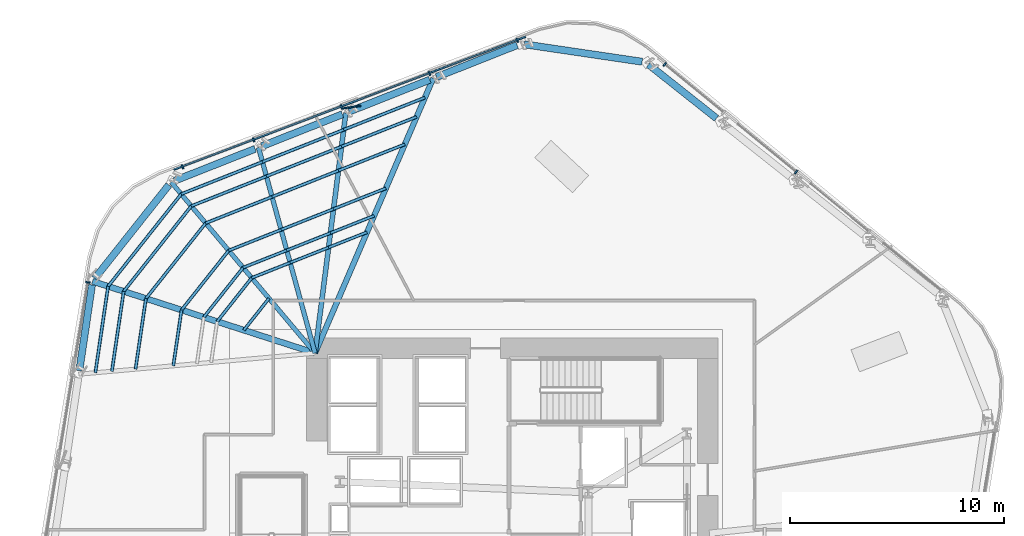
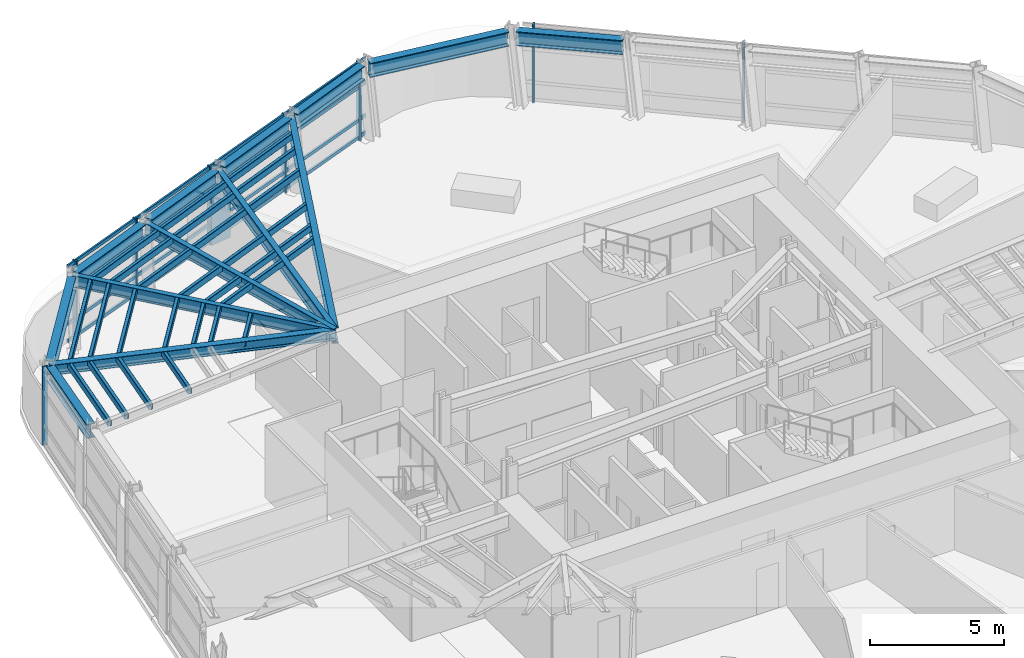
# One storey, part 6 of 18: 42 members, 13 beams, 3 elements without a shape of their own.
"""IFC4 building model written with IfcOpenShell, lengths in metres."""

from ifc_helpers import new_model, si_unit, direction, frame, origin, origin_2d, place, context, subcontext, project, spatial, rectangle, hollow_rectangle, i_section, extrude, material, layer, layer_set, material_profile, profile_set, type_object, element, aggregate, save


model = new_model("IFC4")

# Units and contexts
model_context = context("Model", 3, precision=1e-05, world=origin(), true_north=direction((0.0, 1.0)))
body_context = subcontext(model_context, "Body", "Model", "MODEL_VIEW")
ifc_project = project(units=[si_unit("LENGTHUNIT", "METRE"), si_unit("AREAUNIT", "SQUARE_METRE"), si_unit("VOLUMEUNIT", "CUBIC_METRE"), si_unit("PLANEANGLEUNIT", "RADIAN"), si_unit("MASSUNIT", "GRAM", prefix="KILO")], contexts=[model_context])

# Site, building, storey
site_placement = place(None, origin())
site = spatial("IfcSite", under=ifc_project, at=site_placement, CompositionType="ELEMENT")
building_placement = place(site_placement, origin())
building = spatial("IfcBuilding", under=site, at=building_placement, Name="Valkerne Bourse Tower", CompositionType="ELEMENT")
storey_placement = place(building_placement, frame((0.0, 0.0, 112.39990234375)))
storey = spatial("IfcBuildingStorey", under=building, at=storey_placement, Name="L28", CompositionType="ELEMENT", Elevation=112.39990234375)

# Beams
ifc_material_1 = material(Name="Steel ASTM A992", Category="steel")
ifc_material_profile_1 = material_profile(ifc_material_1, i_section(OverallWidth=0.279296875, OverallDepth=0.46240234375, WebThickness=0.0107421875, FlangeThickness=0.017333984375, FilletRadius=0.017822265625, at=origin_2d()), Name="W18X76")
ifc_profile_set_1 = profile_set([ifc_material_profile_1], Name="Steel ASTM A992")
beam_type_1 = type_object("IfcBeamType", Name="BM-W18X76", PredefinedType="BEAM", material=ifc_profile_set_1)
beam_1_placement = place(storey_placement, frame((27.218994140625, 38.75244140625, 3.348876953125), z_axis=(0.951606897226, -0.307317934966, 0.0), x_axis=(0.307317934966, 0.951606897226, 0.0)))
element("IfcBeam", 1, at=beam_1_placement, inside=storey, type_object=beam_type_1, Name="L28 Radial Composite Floor Beam 10", PredefinedType="BEAM", context=body_context, shape_type="SweptSolid", body=[
    extrude(i_section(OverallWidth=0.279296875, OverallDepth=0.46240234375, WebThickness=0.0107421875, FlangeThickness=0.017333984375, FilletRadius=0.017822265625, at=origin_2d()), origin(), (0.0, 0.0, 1.0), 10.908935546875),
])
ifc_material_profile_2 = material_profile(ifc_material_1, i_section(OverallWidth=0.209228515625, OverallDepth=0.533447265625, WebThickness=0.01025390625, FlangeThickness=0.015625, FilletRadius=0.017822265625, at=origin_2d()), Name="W21X62")
ifc_profile_set_2 = profile_set([ifc_material_profile_2], Name="Steel ASTM A992")
beam_type_2 = type_object("IfcBeamType", Name="BM-W21X62", PredefinedType="JOIST", material=ifc_profile_set_2)
beam_2_placement = place(storey_placement, frame((30.88671875, 43.3798828125, 3.3134765625), z_axis=(0.643765110754, -0.765223158416, 0.0), x_axis=(0.765223158416, 0.643765110754, 0.0)))
element("IfcBeam", 2, at=beam_2_placement, inside=storey, type_object=beam_type_2, Name="L28 Radial Composite Floor Beam 09", PredefinedType="JOIST", context=body_context, shape_type="SweptSolid", body=[
    extrude(i_section(OverallWidth=0.209228515625, OverallDepth=0.533447265625, WebThickness=0.01025390625, FlangeThickness=0.015625, FilletRadius=0.017822265625, at=origin_2d()), origin(), (0.0, 0.0, 1.0), 10.42822265625),
])
ifc_material_profile_3 = material_profile(ifc_material_1, i_section(OverallWidth=0.2138671875, OverallDepth=0.548583984375, WebThickness=0.0146484375, FlangeThickness=0.023681640625, FilletRadius=0.017822265625, at=origin_2d()), Name="W21X93")
ifc_profile_set_3 = profile_set([ifc_material_profile_3], Name="Steel ASTM A992")
beam_type_3 = type_object("IfcBeamType", Name="BM-W21X93", PredefinedType="BEAM", material=ifc_profile_set_3)
beam_3_placement = place(storey_placement, frame((34.9619140625, 44.993408203125, 3.305908203125), z_axis=(0.265153631465, -0.964206176977, 0.0), x_axis=(0.964206176977, 0.265153631465, 0.0)))
element("IfcBeam", 3, at=beam_3_placement, inside=storey, type_object=beam_type_3, Name="L28 Radial Composite Floor Beam 08", PredefinedType="BEAM", context=body_context, shape_type="SweptSolid", body=[
    extrude(i_section(OverallWidth=0.2138671875, OverallDepth=0.548583984375, WebThickness=0.0146484375, FlangeThickness=0.023681640625, FilletRadius=0.017822265625, at=origin_2d()), origin(), (0.0, 0.0, 1.0), 9.94970703125),
])
ifc_material_profile_4 = material_profile(ifc_material_1, i_section(OverallWidth=0.330078125, OverallDepth=0.647705078125, WebThickness=0.0205078125, FlangeThickness=0.037109375, FilletRadius=0.020263671875, at=origin_2d()), Name="W24X192")
ifc_profile_set_4 = profile_set([ifc_material_profile_4], Name="Steel ASTM A992")
beam_type_4 = type_object("IfcBeamType", Name="BM-W24X192", PredefinedType="SPANDREL", material=ifc_profile_set_4)
beam_4_placement = place(storey_placement, frame((56.33056640625, 46.3544921875, 3.25634765625), z_axis=(-0.783723692525, 0.621109631043, 0.0), x_axis=(-0.621109631043, -0.783723692525, 0.0)))
element("IfcBeam", 4, at=beam_4_placement, inside=storey, type_object=beam_type_4, Name="L28 Hexagonal Spandrel Ring Beam 03", PredefinedType="SPANDREL", context=body_context, shape_type="SweptSolid", body=[
    extrude(i_section(OverallWidth=0.330078125, OverallDepth=0.647705078125, WebThickness=0.0205078125, FlangeThickness=0.037109375, FilletRadius=0.020263671875, at=origin_2d()), origin(), (0.0, 0.0, 1.0), 4.043212890625),
])
beam_5_placement = place(storey_placement, frame((52.860595703125, 48.99609375, 3.25634765625), z_axis=(-0.989269790007, 0.146100248391, 0.0), x_axis=(-0.146100248391, -0.989269790007, 0.0)))
element("IfcBeam", 5, at=beam_5_placement, inside=storey, type_object=beam_type_4, Name="L28 Hexagonal Spandrel Ring Beam 04", PredefinedType="SPANDREL", context=body_context, shape_type="SweptSolid", body=[
    extrude(i_section(OverallWidth=0.330078125, OverallDepth=0.647705078125, WebThickness=0.0205078125, FlangeThickness=0.037109375, FilletRadius=0.020263671875, at=origin_2d()), origin(), (0.0, 0.0, 1.0), 5.564697265625),
])
for number, where, z_axis, x_axis, name in (
    (6, (47.029296875, 49.771240234375, 3.25634765625), (-0.92977044233, -0.368139816605, 0.0), (0.368139816605, -0.92977044233, 0.0), "L28 Hexagonal Spandrel Ring Beam 05"),
    (7, (42.9541015625, 48.15771484375, 3.25634765625), (-0.92977044233, -0.368139816605, 0.0), (0.368139816605, -0.92977044233, 0.0), "L28 Hexagonal Spandrel Ring Beam 06"),
    (8, (38.87890625, 46.544189453125, 3.25634765625), (-0.92977044233, -0.368139816605, 0.0), (0.368139816605, -0.92977044233, 0.0), "L28 Hexagonal Spandrel Ring Beam 07"),
    (9, (34.8037109375, 44.930908203125, 3.25634765625), (-0.929749770568, -0.36819202073, 0.0), (0.36819202073, -0.929749770568, 0.0), "L28 Hexagonal Spandrel Ring Beam 08"),
):
    element("IfcBeam", number, at=place(storey_placement, frame(where, z_axis=z_axis, x_axis=x_axis)), inside=storey, type_object=beam_type_4, Name=name, PredefinedType="SPANDREL", context=body_context, shape_type="SweptSolid", body=[
        extrude(i_section(OverallWidth=0.330078125, OverallDepth=0.647705078125, WebThickness=0.0205078125, FlangeThickness=0.037109375, FilletRadius=0.020263671875, at=origin_2d()), origin(), (0.0, 0.0, 1.0), 4.042724609375),
    ])
beam_6_placement = place(storey_placement, frame((30.781005859375, 43.24658203125, 3.25634765625), z_axis=(-0.621141131081, -0.783698727369, 0.0), x_axis=(0.783698727369, -0.621141131081, 0.0)))
element("IfcBeam", 10, at=beam_6_placement, inside=storey, type_object=beam_type_4, Name="L28 Hexagonal Spandrel Ring Beam 09", PredefinedType="SPANDREL", context=body_context, shape_type="SweptSolid", body=[
    extrude(i_section(OverallWidth=0.330078125, OverallDepth=0.647705078125, WebThickness=0.0205078125, FlangeThickness=0.037109375, FilletRadius=0.020263671875, at=origin_2d()), origin(), (0.0, 0.0, 1.0), 5.564453125),
])
beam_7_placement = place(storey_placement, frame((27.1943359375, 38.584228515625, 3.25634765625), z_axis=(-0.146137204379, -0.989264331459, 0.0), x_axis=(0.989264331459, -0.146137204379, 0.0)))
element("IfcBeam", 11, at=beam_7_placement, inside=storey, type_object=beam_type_4, Name="L28 Hexagonal Spandrel Ring Beam 10", PredefinedType="SPANDREL", context=body_context, shape_type="SweptSolid", body=[
    extrude(i_section(OverallWidth=0.330078125, OverallDepth=0.647705078125, WebThickness=0.0205078125, FlangeThickness=0.037109375, FilletRadius=0.020263671875, at=origin_2d()), origin(), (0.0, 0.0, 1.0), 4.04296875),
])
ifc_material_profile_5 = material_profile(ifc_material_1, i_section(OverallWidth=0.228271484375, OverallDepth=0.607177734375, WebThickness=0.01123046875, FlangeThickness=0.017333984375, FilletRadius=0.017822265625, at=origin_2d()), Name="W24X76")
ifc_profile_set_5 = profile_set([ifc_material_profile_5], Name="Steel ASTM A992")
beam_type_5 = type_object("IfcBeamType", Name="BM-W24X76", PredefinedType="JOIST", material=ifc_profile_set_5)
beam_8_placement = place(storey_placement, frame((39.037109375, 46.60693359375, 3.276611328125), z_axis=(-0.127182848818, -0.991879288506, 0.0), x_axis=(0.991879288506, -0.127182848818, 0.0)))
element("IfcBeam", 12, at=beam_8_placement, inside=storey, type_object=beam_type_5, Name="L28 Radial Composite Floor Beam 07", PredefinedType="JOIST", context=body_context, shape_type="SweptSolid", body=[
    extrude(i_section(OverallWidth=0.228271484375, OverallDepth=0.607177734375, WebThickness=0.01123046875, FlangeThickness=0.017333984375, FilletRadius=0.017822265625, at=origin_2d()), origin(), (0.0, 0.0, 1.0), 11.298828125),
])
ifc_material_profile_6 = material_profile(ifc_material_1, i_section(OverallWidth=0.255859375, OverallDepth=0.693359375, WebThickness=0.014404296875, FlangeThickness=0.023681640625, FilletRadius=0.02294921875, at=origin_2d()), Name="W27X114")
ifc_profile_set_6 = profile_set([ifc_material_profile_6], Name="Steel ASTM A992")
beam_type_6 = type_object("IfcBeamType", Name="BM-W27X114", PredefinedType="BEAM", material=ifc_profile_set_6)
beam_9_placement = place(storey_placement, frame((43.1123046875, 48.220458984375, 3.2333984375), z_axis=(-0.394989510293, -0.918685629995, 0.0), x_axis=(0.918685629995, -0.394989510293, 0.0)))
element("IfcBeam", 13, at=beam_9_placement, inside=storey, type_object=beam_type_6, Name="L28 Radial Composite Floor Beam 06", PredefinedType="BEAM", context=body_context, shape_type="SweptSolid", body=[
    extrude(i_section(OverallWidth=0.255859375, OverallDepth=0.693359375, WebThickness=0.014404296875, FlangeThickness=0.023681640625, FilletRadius=0.02294921875, at=origin_2d()), origin(), (0.0, 0.0, 1.0), 13.955322265625),
])

# Curtain wall, members
ifc_material_2 = material(Name="Aluminium AA 6063-T6", Category="aluminium")
ifc_layer = layer(ifc_material_2, 0.22998046875)
ifc_layer_set = layer_set([ifc_layer], Name="Aluminium AA 6063-T6")
curtain_wall_type = type_object("IfcCurtainWallType", Name="CW-02", PredefinedType="NOTDEFINED", material=ifc_layer_set)
curtain_wall_1_placement = place(storey_placement, origin())
curtain_wall_1 = element("IfcCurtainWall", 14, at=curtain_wall_1_placement, inside=storey, type_object=curtain_wall_type, Name="L28 Hexagonal Stick Curtain Wall Face 1", PredefinedType="NOTDEFINED")
ifc_material_profile_7 = material_profile(ifc_material_2, rectangle(XDim=0.074951171875, YDim=0.199951171875, at=origin_2d()), Name="CWM-75X200")
ifc_profile_set_7 = profile_set([ifc_material_profile_7], Name="Aluminium AA 6063-T6")
member_type_1 = type_object("IfcMemberType", Name="CW-MUL-220X75", PredefinedType="MULLION", material=ifc_profile_set_7)
member_1_placement = place(storey_placement, frame((60.046875, 43.84765625, 0.0), z_axis=(0.0, 0.0, 1.0), x_axis=(-0.773846486723, 0.633373203559, 0.0)))
member_1 = element("IfcMember", 15, at=member_1_placement, type_object=member_type_1, Name="CW-L28-F1 Jamb Mullion 02A", PredefinedType="MULLION", context=body_context, shape_type="SweptSolid", body=[
    extrude(rectangle(XDim=0.074951171875, YDim=0.199951171875, at=origin_2d()), origin(), (0.0, 0.0, 1.0), 3.580078125),
])
member_2_placement = place(storey_placement, frame((53.91357421875, 48.867919921875, 0.0), z_axis=(0.0, 0.0, 1.0), x_axis=(-0.773837333902, 0.633384386182, 0.0)))
member_2 = element("IfcMember", 16, at=member_2_placement, type_object=member_type_1, Name="CW-L28-F1 Jamb Mullion 03B", PredefinedType="MULLION", context=body_context, shape_type="SweptSolid", body=[
    extrude(rectangle(XDim=0.074951171875, YDim=0.199951171875, at=origin_2d()), origin(), (0.0, 0.0, 1.0), 3.580078125),
])
aggregate(curtain_wall_1, [member_1, member_2])

curtain_wall_2_placement = place(storey_placement, origin())
curtain_wall_2 = element("IfcCurtainWall", 17, at=curtain_wall_2_placement, inside=storey, type_object=curtain_wall_type, Name="L28 Hexagonal Stick Curtain Wall Face 2", PredefinedType="NOTDEFINED")
member_3_placement = place(storey_placement, frame((47.032958984375, 49.994384765625, 0.0), z_axis=(0.0, 0.0, 1.0), x_axis=(-0.935448625028, -0.353462685347, 0.0)))
member_3 = element("IfcMember", 18, at=member_3_placement, type_object=member_type_1, Name="CW-L28-F2 Jamb Mullion 00A", PredefinedType="MULLION", context=body_context, shape_type="SweptSolid", body=[
    extrude(rectangle(XDim=0.074951171875, YDim=0.199951171875, at=origin_2d()), origin(), (0.0, 0.0, 1.0), 3.580078125),
])
member_4_placement = place(storey_placement, frame((42.93310546875, 48.4453125, 0.0), z_axis=(0.0, 0.0, 1.0), x_axis=(-0.935443931634, -0.353475106294, 0.0)))
member_4 = element("IfcMember", 19, at=member_4_placement, type_object=member_type_1, Name="CW-L28-F2 Jamb Mullion 01A", PredefinedType="MULLION", context=body_context, shape_type="SweptSolid", body=[
    extrude(rectangle(XDim=0.074951171875, YDim=0.199951171875, at=origin_2d()), origin(), (0.0, 0.0, 1.0), 3.580078125),
])
member_5_placement = place(storey_placement, frame((38.8330078125, 46.89599609375, 0.0), z_axis=(0.0, 0.0, 1.0), x_axis=(-0.935441080916, -0.353482650402, 0.0)))
member_5 = element("IfcMember", 20, at=member_5_placement, type_object=member_type_1, Name="CW-L28-F2 Jamb Mullion 02A", PredefinedType="MULLION", context=body_context, shape_type="SweptSolid", body=[
    extrude(rectangle(XDim=0.074951171875, YDim=0.199951171875, at=origin_2d()), origin(), (0.0, 0.0, 1.0), 3.580078125),
])
member_6_placement = place(storey_placement, frame((34.73291015625, 45.3466796875, 0.0), z_axis=(0.0, 0.0, 1.0), x_axis=(-0.935443931634, -0.353475106294, 0.0)))
member_6 = element("IfcMember", 21, at=member_6_placement, type_object=member_type_1, Name="CW-L28-F2 Jamb Mullion 03A", PredefinedType="MULLION", context=body_context, shape_type="SweptSolid", body=[
    extrude(rectangle(XDim=0.074951171875, YDim=0.199951171875, at=origin_2d()), origin(), (0.0, 0.0, 1.0), 3.580078125),
])
member_7_placement = place(storey_placement, frame((31.418701171875, 44.09423828125, 0.0), z_axis=(0.0, 0.0, 1.0), x_axis=(-0.935443931634, -0.353475106294, 0.0)))
member_7 = element("IfcMember", 22, at=member_7_placement, type_object=member_type_1, Name="CW-L28-F2 Jamb Mullion 03B", PredefinedType="MULLION", context=body_context, shape_type="SweptSolid", body=[
    extrude(rectangle(XDim=0.074951171875, YDim=0.199951171875, at=origin_2d()), origin(), (0.0, 0.0, 1.0), 3.580078125),
])

# Curtain wall, member
curtain_wall_3_placement = place(storey_placement, origin())
curtain_wall_3 = element("IfcCurtainWall", 23, at=curtain_wall_3_placement, inside=storey, type_object=curtain_wall_type, Name="L28 Hexagonal Stick Curtain Wall Face 3", PredefinedType="NOTDEFINED")
member_8_placement = place(storey_placement, frame((27.002685546875, 38.69921875, 0.0), z_axis=(0.0, 0.0, 1.0), x_axis=(-0.16160128499, -0.986856131708, 0.0)))
member_8 = element("IfcMember", 24, at=member_8_placement, type_object=member_type_1, Name="CW-L28-F3 Jamb Mullion 00A", PredefinedType="MULLION", context=body_context, shape_type="SweptSolid", body=[
    extrude(rectangle(XDim=0.074951171875, YDim=0.199951171875, at=origin_2d()), origin(), (0.0, 0.0, 1.0), 3.580078125),
])
aggregate(curtain_wall_3, [member_8])

# Member
ifc_material_profile_8 = material_profile(ifc_material_2, rectangle(XDim=0.074951171875, YDim=0.14990234375, at=origin_2d()), Name="CWT-75X150")
ifc_profile_set_8 = profile_set([ifc_material_profile_8], Name="Aluminium AA 6063-T6")
member_type_2 = type_object("IfcMemberType", Name="CW-TRN-180X65", PredefinedType="USERDEFINED", material=ifc_profile_set_8)
member_9_placement = place(storey_placement, frame((47.418701171875, 50.16162109375, 0.1201171875), z_axis=(-0.935445491747, -0.353470977551, 0.0), x_axis=(0.353470977551, -0.935445491747, 0.0)))
member_9 = element("IfcMember", 25, at=member_9_placement, type_object=member_type_2, Name="CW-L28-F2 Continuous Face Transom 1", ObjectType="TRANSOM", PredefinedType="USERDEFINED", context=body_context, shape_type="SweptSolid", body=[
    extrude(rectangle(XDim=0.074951171875, YDim=0.14990234375, at=origin_2d()), origin(), (0.0, 0.0, 1.0), 17.531982421875),
])

member_10_placement = place(storey_placement, frame((47.418701171875, 50.16162109375, 0.900146484375), z_axis=(-0.935445491747, -0.353470977551, 0.0), x_axis=(0.353470977551, -0.935445491747, 0.0)))
member_10 = element("IfcMember", 26, at=member_10_placement, type_object=member_type_2, Name="CW-L28-F2 Continuous Face Transom 2", ObjectType="TRANSOM", PredefinedType="USERDEFINED", context=body_context, shape_type="SweptSolid", body=[
    extrude(rectangle(XDim=0.074951171875, YDim=0.14990234375, at=origin_2d()), origin(), (0.0, 0.0, 1.0), 17.531982421875),
])

member_11_placement = place(storey_placement, frame((47.418701171875, 50.16162109375, 2.400146484375), z_axis=(-0.935445491747, -0.353470977551, 0.0), x_axis=(0.353470977551, -0.935445491747, 0.0)))
member_11 = element("IfcMember", 27, at=member_11_placement, type_object=member_type_2, Name="CW-L28-F2 Continuous Face Transom 3", ObjectType="TRANSOM", PredefinedType="USERDEFINED", context=body_context, shape_type="SweptSolid", body=[
    extrude(rectangle(XDim=0.074951171875, YDim=0.14990234375, at=origin_2d()), origin(), (0.0, 0.0, 1.0), 17.531982421875),
])

member_12_placement = place(storey_placement, frame((47.418701171875, 50.16162109375, 3.5), z_axis=(-0.935445491747, -0.353470977551, 0.0), x_axis=(0.353470977551, -0.935445491747, 0.0)))
member_12 = element("IfcMember", 28, at=member_12_placement, type_object=member_type_2, Name="CW-L28-F2 Continuous Face Transom 4", ObjectType="TRANSOM", PredefinedType="USERDEFINED", context=body_context, shape_type="SweptSolid", body=[
    extrude(rectangle(XDim=0.074951171875, YDim=0.14990234375, at=origin_2d()), origin(), (0.0, 0.0, 1.0), 17.531982421875),
])

aggregate(curtain_wall_2, [member_9, member_10, member_11, member_12, member_3, member_4, member_5, member_6, member_7])

# Members
ifc_material_3 = material(Name="Bronze Anodised Aluminium AA 6063-T6", Category="aluminium")
ifc_material_profile_9 = material_profile(ifc_material_3, rectangle(XDim=0.070068359375, YDim=0.89990234375, at=origin_2d()), Name="FIN-70X900")
ifc_profile_set_9 = profile_set([ifc_material_profile_9], Name="Bronze Anodised Aluminium AA 6063-T6")
member_type_3 = type_object("IfcMemberType", Name="FIN-SOLAR-900", PredefinedType="USERDEFINED", material=ifc_profile_set_9)
member_13_placement = place(storey_placement, frame((39.289306640625, 46.876220703125, 0.004150390625), z_axis=(0.0, 0.0, 1.0), x_axis=(-0.143661603869, 0.989626870883, 0.0)))
element("IfcMember", 29, at=member_13_placement, inside=storey, type_object=member_type_3, Name="L28 Bronze Anodised Solar Fin F2-02", ObjectType="SOLAR_FIN", PredefinedType="USERDEFINED", context=body_context, shape_type="SweptSolid", body=[
    extrude(rectangle(XDim=0.070068359375, YDim=0.89990234375, at=origin_2d()), origin(), (0.0, 0.0, 1.0), 3.572021484375),
])
ifc_material_4 = material(Name="Steel ASTM A500 Grade C", Category="steel")
ifc_material_profile_10 = material_profile(ifc_material_4, hollow_rectangle(XDim=0.14990234375, YDim=0.300048828125, WallThickness=0.012451171875, OuterFilletRadius=0.02490234375, at=origin_2d()), Name="HSS300X150X12.5")
ifc_profile_set_10 = profile_set([ifc_material_profile_10], Name="Steel ASTM A500 Grade C")
member_type_4 = type_object("IfcMemberType", Name="MBR-HSS300X150X12.5", PredefinedType="PURLIN", material=ifc_profile_set_10)
member_14_placement = place(storey_placement, frame((35.45166015625, 37.95361328125, 3.420166015625), z_axis=(-0.621143037167, -0.783697216646, 0.0), x_axis=(0.783697216646, -0.621143037167, 0.0)))
element("IfcMember", 30, at=member_14_placement, inside=storey, type_object=member_type_4, Name="L28 Secondary Composite Floor Purlin I-09", PredefinedType="PURLIN", context=body_context, shape_type="SweptSolid", body=[
    extrude(hollow_rectangle(XDim=0.14990234375, YDim=0.300048828125, WallThickness=0.012451171875, OuterFilletRadius=0.02490234375, at=origin_2d()), origin(), (0.0, 0.0, 1.0), 1.889404296875),
])
member_15_placement = place(storey_placement, frame((40.025390625, 41.041015625, 3.420166015625), z_axis=(-0.929763281751, -0.368157900781, 0.0), x_axis=(0.368157900781, -0.929763281751, 0.0)))
element("IfcMember", 31, at=member_15_placement, inside=storey, type_object=member_type_4, Name="L28 Secondary Composite Floor Purlin K-06", PredefinedType="PURLIN", context=body_context, shape_type="SweptSolid", body=[
    extrude(hollow_rectangle(XDim=0.14990234375, YDim=0.300048828125, WallThickness=0.012451171875, OuterFilletRadius=0.02490234375, at=origin_2d()), origin(), (0.0, 0.0, 1.0), 1.928466796875),
])
for number, where, z_axis, x_axis, name in (
    (32, (38.232421875, 40.3310546875, 3.420166015625), (-0.929780438354, -0.368114569739, 0.0), (0.368114569739, -0.929780438354, 0.0), "L28 Secondary Composite Floor Purlin K-07"),
    (33, (36.439208984375, 39.62109375, 3.420166015625), (-0.929780438354, -0.368114569739, 0.0), (0.368114569739, -0.929780438354, 0.0), "L28 Secondary Composite Floor Purlin K-08"),
):
    element("IfcMember", number, at=place(storey_placement, frame(where, z_axis=z_axis, x_axis=x_axis)), inside=storey, type_object=member_type_4, Name=name, PredefinedType="PURLIN", context=body_context, shape_type="SweptSolid", body=[
        extrude(hollow_rectangle(XDim=0.14990234375, YDim=0.300048828125, WallThickness=0.012451171875, OuterFilletRadius=0.02490234375, at=origin_2d()), origin(), (0.0, 0.0, 1.0), 1.9287109375),
    ])
member_16_placement = place(storey_placement, frame((34.64599609375, 38.9111328125, 3.420166015625), z_axis=(-0.621078370554, -0.783748465792, 0.0), x_axis=(0.783748465792, -0.621078370554, 0.0)))
element("IfcMember", 34, at=member_16_placement, inside=storey, type_object=member_type_4, Name="L28 Secondary Composite Floor Purlin K-09", PredefinedType="PURLIN", context=body_context, shape_type="SweptSolid", body=[
    extrude(hollow_rectangle(XDim=0.14990234375, YDim=0.300048828125, WallThickness=0.012451171875, OuterFilletRadius=0.02490234375, at=origin_2d()), origin(), (0.0, 0.0, 1.0), 2.597900390625),
])
member_17_placement = place(storey_placement, frame((40.356201171875, 41.810302734375, 3.420166015625), z_axis=(-0.929754184478, -0.368180874634, 0.0), x_axis=(0.368180874634, -0.929754184478, 0.0)))
element("IfcMember", 35, at=member_17_placement, inside=storey, type_object=member_type_4, Name="L28 Secondary Composite Floor Purlin M-06", PredefinedType="PURLIN", context=body_context, shape_type="SweptSolid", body=[
    extrude(hollow_rectangle(XDim=0.14990234375, YDim=0.300048828125, WallThickness=0.012451171875, OuterFilletRadius=0.02490234375, at=origin_2d()), origin(), (0.0, 0.0, 1.0), 2.191650390625),
])
member_18_placement = place(storey_placement, frame((38.318603515625, 41.00341796875, 3.420166015625), z_axis=(-0.929792315648, -0.368084568764, 0.0), x_axis=(0.368084568764, -0.929792315648, 0.0)))
element("IfcMember", 36, at=member_18_placement, inside=storey, type_object=member_type_4, Name="L28 Secondary Composite Floor Purlin M-07", PredefinedType="PURLIN", context=body_context, shape_type="SweptSolid", body=[
    extrude(hollow_rectangle(XDim=0.14990234375, YDim=0.300048828125, WallThickness=0.012451171875, OuterFilletRadius=0.02490234375, at=origin_2d()), origin(), (0.0, 0.0, 1.0), 2.19140625),
])
member_19_placement = place(storey_placement, frame((36.281005859375, 40.19677734375, 3.420166015625), z_axis=(-0.929754184478, -0.368180874634, 0.0), x_axis=(0.368180874634, -0.929754184478, 0.0)))
element("IfcMember", 37, at=member_19_placement, inside=storey, type_object=member_type_4, Name="L28 Secondary Composite Floor Purlin M-08", PredefinedType="PURLIN", context=body_context, shape_type="SweptSolid", body=[
    extrude(hollow_rectangle(XDim=0.14990234375, YDim=0.300048828125, WallThickness=0.012451171875, OuterFilletRadius=0.02490234375, at=origin_2d()), origin(), (0.0, 0.0, 1.0), 2.191650390625),
])
member_20_placement = place(storey_placement, frame((34.243408203125, 39.389892578125, 3.420166015625), z_axis=(-0.621168856533, -0.783676752031, 0.0), x_axis=(0.783676752031, -0.621168856533, 0.0)))
element("IfcMember", 38, at=member_20_placement, inside=storey, type_object=member_type_4, Name="L28 Secondary Composite Floor Purlin M-09", PredefinedType="PURLIN", context=body_context, shape_type="SweptSolid", body=[
    extrude(hollow_rectangle(XDim=0.14990234375, YDim=0.300048828125, WallThickness=0.012451171875, OuterFilletRadius=0.02490234375, at=origin_2d()), origin(), (0.0, 0.0, 1.0), 2.9521484375),
])
for number, where, z_axis, x_axis, name in (
    (39, (41.789306640625, 45.1435546875, 3.420166015625), (-0.929770031717, -0.368140853643, 0.0), (0.368140853643, -0.929770031717, 0.0), "L28 Secondary Composite Floor Purlin O-06"),
    (40, (38.692138671875, 43.917236328125, 3.420166015625), (-0.929770031717, -0.368140853643, 0.0), (0.368140853643, -0.929770031717, 0.0), "L28 Secondary Composite Floor Purlin O-07"),
    (41, (35.594970703125, 42.69091796875, 3.420166015625), (-0.929770031717, -0.368140853643, 0.0), (0.368140853643, -0.929770031717, 0.0), "L28 Secondary Composite Floor Purlin O-08"),
):
    element("IfcMember", number, at=place(storey_placement, frame(where, z_axis=z_axis, x_axis=x_axis)), inside=storey, type_object=member_type_4, Name=name, PredefinedType="PURLIN", context=body_context, shape_type="SweptSolid", body=[
        extrude(hollow_rectangle(XDim=0.14990234375, YDim=0.300048828125, WallThickness=0.012451171875, OuterFilletRadius=0.02490234375, at=origin_2d()), origin(), (0.0, 0.0, 1.0), 3.3310546875),
    ])
member_21_placement = place(storey_placement, frame((32.497802734375, 41.464599609375, 3.420166015625), z_axis=(-0.621165499606, -0.783679412834, 0.0), x_axis=(0.783679412834, -0.621165499606, 0.0)))
element("IfcMember", 42, at=member_21_placement, inside=storey, type_object=member_type_4, Name="L28 Secondary Composite Floor Purlin O-09", PredefinedType="PURLIN", context=body_context, shape_type="SweptSolid", body=[
    extrude(hollow_rectangle(XDim=0.14990234375, YDim=0.300048828125, WallThickness=0.012451171875, OuterFilletRadius=0.02490234375, at=origin_2d()), origin(), (0.0, 0.0, 1.0), 4.4873046875),
])
member_22_placement = place(storey_placement, frame((29.71044921875, 37.947998046875, 3.420166015625), z_axis=(-0.146067878068, -0.989274570075, 0.0), x_axis=(0.989274570075, -0.146067878068, 0.0)))
element("IfcMember", 43, at=member_22_placement, inside=storey, type_object=member_type_4, Name="L28 Secondary Composite Floor Purlin O-10", PredefinedType="PURLIN", context=body_context, shape_type="SweptSolid", body=[
    extrude(hollow_rectangle(XDim=0.14990234375, YDim=0.300048828125, WallThickness=0.012451171875, OuterFilletRadius=0.02490234375, at=origin_2d()), origin(), (0.0, 0.0, 1.0), 3.3310546875),
])
for number, where, z_axis, x_axis, name in (
    (44, (40.907470703125, 43.09228515625, 3.420166015625), (-0.929751667541, -0.368187230501, 0.0), (0.368187230501, -0.929751667541, 0.0), "L28 Secondary Composite Floor Purlin Z-06"),
    (45, (38.46240234375, 42.1240234375, 3.420166015625), (-0.929796023326, -0.368075202924, 0.0), (0.368075202924, -0.929796023326, 0.0), "L28 Secondary Composite Floor Purlin Z-07"),
):
    element("IfcMember", number, at=place(storey_placement, frame(where, z_axis=z_axis, x_axis=x_axis)), inside=storey, type_object=member_type_4, Name=name, PredefinedType="PURLIN", context=body_context, shape_type="SweptSolid", body=[
        extrude(hollow_rectangle(XDim=0.14990234375, YDim=0.300048828125, WallThickness=0.012451171875, OuterFilletRadius=0.02490234375, at=origin_2d()), origin(), (0.0, 0.0, 1.0), 2.6298828125),
    ])
member_23_placement = place(storey_placement, frame((36.01708984375, 41.156005859375, 3.420166015625), z_axis=(-0.929783445003, -0.368106975481, 0.0), x_axis=(0.368106975481, -0.929783445003, 0.0)))
element("IfcMember", 46, at=member_23_placement, inside=storey, type_object=member_type_4, Name="L28 Secondary Composite Floor Purlin Z-08", PredefinedType="PURLIN", context=body_context, shape_type="SweptSolid", body=[
    extrude(hollow_rectangle(XDim=0.14990234375, YDim=0.300048828125, WallThickness=0.012451171875, OuterFilletRadius=0.02490234375, at=origin_2d()), origin(), (0.0, 0.0, 1.0), 2.629638671875),
])
member_24_placement = place(storey_placement, frame((33.572021484375, 40.18798828125, 3.420166015625), z_axis=(-0.621133552918, -0.783704733583, 0.0), x_axis=(0.783704733583, -0.621133552918, 0.0)))
element("IfcMember", 47, at=member_24_placement, inside=storey, type_object=member_type_4, Name="L28 Secondary Composite Floor Purlin Z-09", PredefinedType="PURLIN", context=body_context, shape_type="SweptSolid", body=[
    extrude(hollow_rectangle(XDim=0.14990234375, YDim=0.300048828125, WallThickness=0.012451171875, OuterFilletRadius=0.02490234375, at=origin_2d()), origin(), (0.0, 0.0, 1.0), 3.542724609375),
])
member_25_placement = place(storey_placement, frame((31.37158203125, 37.41162109375, 3.420166015625), z_axis=(-0.146111295983, -0.989268158381, 0.0), x_axis=(0.989268158381, -0.146111295983, 0.0)))
element("IfcMember", 48, at=member_25_placement, inside=storey, type_object=member_type_4, Name="L28 Secondary Composite Floor Purlin Z-10", PredefinedType="PURLIN", context=body_context, shape_type="SweptSolid", body=[
    extrude(hollow_rectangle(XDim=0.14990234375, YDim=0.300048828125, WallThickness=0.012451171875, OuterFilletRadius=0.02490234375, at=origin_2d()), origin(), (0.0, 0.0, 1.0), 2.630126953125),
])
for number, where, z_axis, x_axis, name in (
    (49, (42.340576171875, 46.425537109375, 3.420166015625), (-0.929766433418, -0.368149941313, 0.0), (0.368149941313, -0.929766433418, 0.0), "L28 Secondary Composite Floor Purlin T-06"),
    (50, (38.8359375, 45.037841796875, 3.420166015625), (-0.929788602443, -0.368093948289, 0.0), (0.368093948289, -0.929788602443, 0.0), "L28 Secondary Composite Floor Purlin T-07"),
    (51, (35.331298828125, 43.650390625, 3.420166015625), (-0.929766433418, -0.368149941313, 0.0), (0.368149941313, -0.929766433418, 0.0), "L28 Secondary Composite Floor Purlin T-08"),
):
    element("IfcMember", number, at=place(storey_placement, frame(where, z_axis=z_axis, x_axis=x_axis)), inside=storey, type_object=member_type_4, Name=name, PredefinedType="PURLIN", context=body_context, shape_type="SweptSolid", body=[
        extrude(hollow_rectangle(XDim=0.14990234375, YDim=0.300048828125, WallThickness=0.012451171875, OuterFilletRadius=0.02490234375, at=origin_2d()), origin(), (0.0, 0.0, 1.0), 3.769287109375),
    ])
member_26_placement = place(storey_placement, frame((31.82666015625, 42.2626953125, 3.420166015625), z_axis=(-0.621170788451, -0.783675220723, 0.0), x_axis=(0.783675220723, -0.621170788451, 0.0)))
element("IfcMember", 52, at=member_26_placement, inside=storey, type_object=member_type_4, Name="L28 Secondary Composite Floor Purlin T-09", PredefinedType="PURLIN", context=body_context, shape_type="SweptSolid", body=[
    extrude(hollow_rectangle(XDim=0.14990234375, YDim=0.300048828125, WallThickness=0.012451171875, OuterFilletRadius=0.02490234375, at=origin_2d()), origin(), (0.0, 0.0, 1.0), 5.077880859375),
])
member_27_placement = place(storey_placement, frame((28.67236328125, 38.283203125, 3.420166015625), z_axis=(-0.146053357981, -0.989276713879, 0.0), x_axis=(0.989276713879, -0.146053357981, 0.0)))
element("IfcMember", 53, at=member_27_placement, inside=storey, type_object=member_type_4, Name="L28 Secondary Composite Floor Purlin T-10", PredefinedType="PURLIN", context=body_context, shape_type="SweptSolid", body=[
    extrude(hollow_rectangle(XDim=0.14990234375, YDim=0.300048828125, WallThickness=0.012451171875, OuterFilletRadius=0.02490234375, at=origin_2d()), origin(), (0.0, 0.0, 1.0), 3.76953125),
])
member_28_placement = place(storey_placement, frame((42.726318359375, 47.322998046875, 3.420166015625), z_axis=(-0.92977629073, -0.368125045598, 0.0), x_axis=(0.368125045598, -0.92977629073, 0.0)))
element("IfcMember", 54, at=member_28_placement, inside=storey, type_object=member_type_4, Name="L28 Secondary Composite Floor Purlin U-06", PredefinedType="PURLIN", context=body_context, shape_type="SweptSolid", body=[
    extrude(hollow_rectangle(XDim=0.14990234375, YDim=0.300048828125, WallThickness=0.012451171875, OuterFilletRadius=0.02490234375, at=origin_2d()), origin(), (0.0, 0.0, 1.0), 4.075927734375),
])
for number, where, z_axis, x_axis, name in (
    (55, (38.9365234375, 45.822509765625, 3.420166015625), (-0.929784407014, -0.368104545575, 0.0), (0.368104545575, -0.929784407014, 0.0), "L28 Secondary Composite Floor Purlin U-07"),
    (56, (35.146484375, 44.322021484375, 3.420166015625), (-0.929755788665, -0.368176823612, 0.0), (0.368176823612, -0.929755788665, 0.0), "L28 Secondary Composite Floor Purlin U-08"),
):
    element("IfcMember", number, at=place(storey_placement, frame(where, z_axis=z_axis, x_axis=x_axis)), inside=storey, type_object=member_type_4, Name=name, PredefinedType="PURLIN", context=body_context, shape_type="SweptSolid", body=[
        extrude(hollow_rectangle(XDim=0.14990234375, YDim=0.300048828125, WallThickness=0.012451171875, OuterFilletRadius=0.02490234375, at=origin_2d()), origin(), (0.0, 0.0, 1.0), 4.076171875),
    ])
member_29_placement = place(storey_placement, frame((31.356689453125, 42.8212890625, 3.420166015625), z_axis=(-0.621148106733, -0.783693198581, 0.0), x_axis=(0.783693198581, -0.621148106733, 0.0)))
element("IfcMember", 57, at=member_29_placement, inside=storey, type_object=member_type_4, Name="L28 Secondary Composite Floor Purlin U-09", PredefinedType="PURLIN", context=body_context, shape_type="SweptSolid", body=[
    extrude(hollow_rectangle(XDim=0.14990234375, YDim=0.300048828125, WallThickness=0.012451171875, OuterFilletRadius=0.02490234375, at=origin_2d()), origin(), (0.0, 0.0, 1.0), 5.4912109375),
])
member_30_placement = place(storey_placement, frame((27.94580078125, 38.517822265625, 3.420166015625), z_axis=(-0.146081952394, -0.989272491877, 0.0), x_axis=(0.989272491877, -0.146081952394, 0.0)))
element("IfcMember", 58, at=member_30_placement, inside=storey, type_object=member_type_4, Name="L28 Secondary Composite Floor Purlin U-10", PredefinedType="PURLIN", context=body_context, shape_type="SweptSolid", body=[
    extrude(hollow_rectangle(XDim=0.14990234375, YDim=0.300048828125, WallThickness=0.012451171875, OuterFilletRadius=0.02490234375, at=origin_2d()), origin(), (0.0, 0.0, 1.0), 4.076171875),
])

save(model, "model.ifc")
